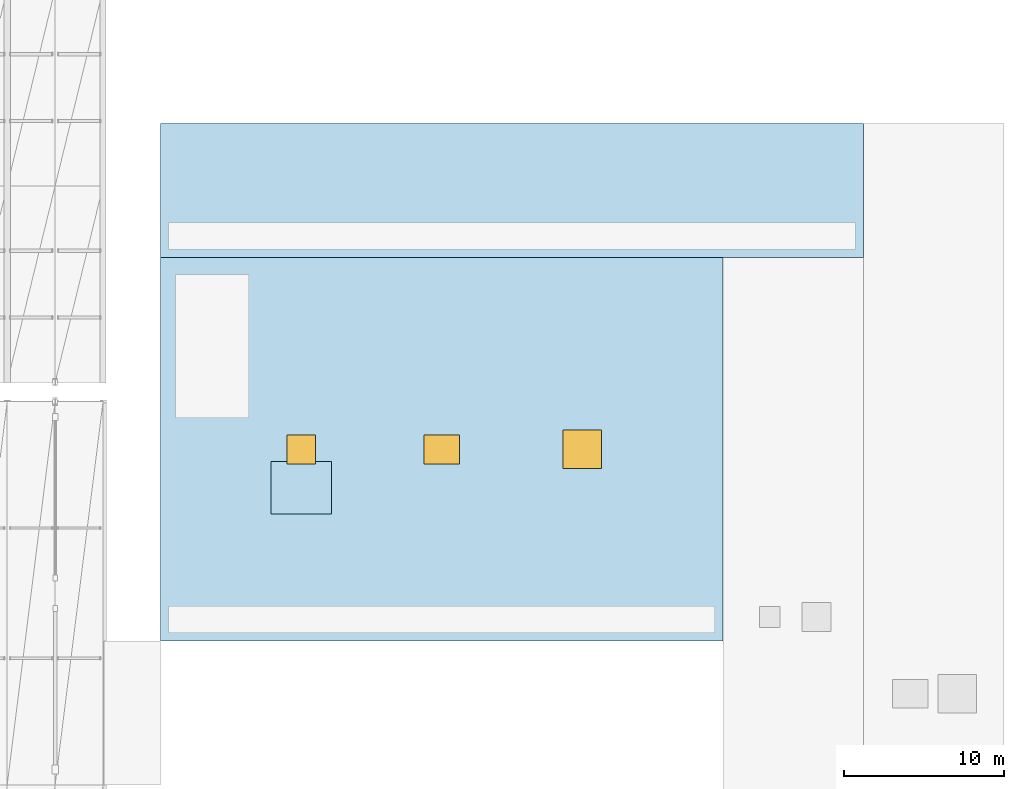
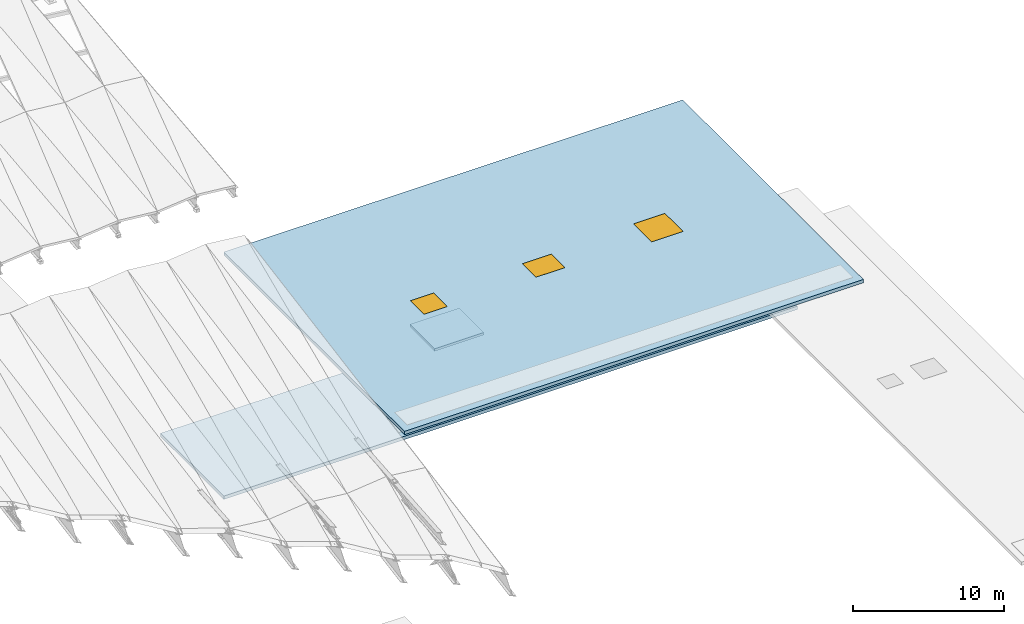
"""IFC4 building model written with IfcOpenShell, lengths in metres."""

from ifc_helpers import new_model, si_unit, direction, frame, origin, origin_2d, place, context, subcontext, project, spatial, polyline, rectangle, outline, extrude, material, layer, layer_set, type_object, element, fill, save


model = new_model("IFC4")

# Units and contexts
model_context = context("Model", 3, precision=1e-05, world=origin(), true_north=direction((0.0, 1.0)))
body_context = subcontext(model_context, "Body", "Model", "MODEL_VIEW")
ifc_project = project(units=[si_unit("LENGTHUNIT", "METRE"), si_unit("AREAUNIT", "SQUARE_METRE"), si_unit("VOLUMEUNIT", "CUBIC_METRE"), si_unit("PLANEANGLEUNIT", "RADIAN"), si_unit("MASSUNIT", "GRAM", prefix="KILO")], contexts=[model_context])

# Site, building, storey
site_placement = place(None, origin())
site = spatial("IfcSite", under=ifc_project, at=site_placement, CompositionType="ELEMENT")
building_placement = place(site_placement, origin())
building = spatial("IfcBuilding", under=site, at=building_placement, Name="Vaelkrest Opera House", CompositionType="ELEMENT")
storey_1_placement = place(building_placement, frame((0.0, 0.0, 41.39990234375)))
storey_1 = spatial("IfcBuildingStorey", under=building, at=storey_1_placement, Name="ROOF", CompositionType="ELEMENT", Elevation=41.39990234375)

# Slab, openings
ifc_material_1 = material(Name="Concrete C40/50", Category="concrete")
ifc_layer_1 = layer(ifc_material_1, 0.27490234375)
ifc_layer_set_1 = layer_set([ifc_layer_1], Name="Concrete C40/50")
slab_type_1 = type_object("IfcSlabType", Name="RS05", PredefinedType="ROOF", material=ifc_layer_set_1)
slab_1_placement = place(storey_1_placement, frame((0.0, 0.0, -11.6748046875)))
slab_1 = element("IfcSlab", 1, at=slab_1_placement, inside=storey_1, type_object=slab_type_1, Name="Flat roof slab SLB-ROOF-V4-MAIN", PredefinedType="ROOF", context=body_context, shape_type="SweptSolid", body=[
    extrude(outline(polyline([(33.60009765625, 1.199951171875), (68.800048828125, 1.199951171875), (68.800048828125, 25.199951171875), (33.60009765625, 25.199951171875), (33.60009765625, 1.199951171875)])), origin(), (0.0, 0.0, 1.0), 0.27490234375),
])
opening_1_placement = place(slab_1_placement, frame((42.39990234375, 13.199951171875, 0.0)))
opening_1 = element("IfcOpeningElement", 2, at=opening_1_placement, cuts=slab_1, Name="Opening SK01", PredefinedType="OPENING", context=body_context, shape_type="SweptSolid", body=[
    extrude(rectangle(XDim=1.800048828125, YDim=1.800048828125, at=origin_2d()), frame((0.0, 0.0, -0.010009765625)), (0.0, 0.0, 1.0), 0.294921875),
])
opening_2_placement = place(slab_1_placement, frame((51.199951171875, 13.199951171875, 0.0)))
opening_2 = element("IfcOpeningElement", 3, at=opening_2_placement, cuts=slab_1, Name="Opening SK02", PredefinedType="OPENING", context=body_context, shape_type="SweptSolid", body=[
    extrude(rectangle(XDim=2.199951171875, YDim=1.800048828125, at=origin_2d()), frame((0.0, 0.0, -0.010009765625)), (0.0, 0.0, 1.0), 0.294921875),
])
opening_3_placement = place(slab_1_placement, frame((60.0, 13.199951171875, 0.0)))
opening_3 = element("IfcOpeningElement", 4, at=opening_3_placement, cuts=slab_1, Name="Opening SK03", PredefinedType="OPENING", context=body_context, shape_type="SweptSolid", body=[
    extrude(rectangle(XDim=2.39990234375, YDim=2.39990234375, at=origin_2d()), frame((0.0, 0.0, -0.010009765625)), (0.0, 0.0, 1.0), 0.294921875),
])

# Storey
storey_2_placement = place(building_placement, frame((0.0, 0.0, 24.60009765625)))
storey_2 = spatial("IfcBuildingStorey", under=building, at=storey_2_placement, Name="L05", CompositionType="ELEMENT", Elevation=24.60009765625)

# Window
ifc_material_2 = material(Name="Double low-E insulated glazing", Category="glass")
window_type_1 = type_object("IfcWindowType", Name="SKT01", PartitioningType="SINGLE_PANEL", PredefinedType="SKYLIGHT", material=ifc_material_2)
window_1_placement = place(opening_1_placement, frame((0.0, 0.0, 0.224853515625)))
window_1 = element("IfcWindow", 5, at=window_1_placement, inside=storey_2, type_object=window_type_1, Name="Roof skylight SK01", OverallHeight=1.800048828125, OverallWidth=1.800048828125, PartitioningType="SINGLE_PANEL", PredefinedType="SKYLIGHT", context=body_context, shape_type="SweptSolid", body=[
    extrude(rectangle(XDim=1.800048828125, YDim=1.800048828125, at=origin_2d()), origin(), (0.0, 0.0, 1.0), 0.050048828125),
])

fill(opening_1, window_1)

window_type_2 = type_object("IfcWindowType", Name="SKT02", PartitioningType="SINGLE_PANEL", PredefinedType="SKYLIGHT", material=ifc_material_2)
window_2_placement = place(opening_2_placement, frame((0.0, 0.0, 0.224853515625)))
window_2 = element("IfcWindow", 6, at=window_2_placement, inside=storey_2, type_object=window_type_2, Name="Roof skylight SK02", OverallHeight=1.800048828125, OverallWidth=2.199951171875, PartitioningType="SINGLE_PANEL", PredefinedType="SKYLIGHT", context=body_context, shape_type="SweptSolid", body=[
    extrude(rectangle(XDim=2.199951171875, YDim=1.800048828125, at=origin_2d()), origin(), (0.0, 0.0, 1.0), 0.050048828125),
])

fill(opening_2, window_2)

window_type_3 = type_object("IfcWindowType", Name="SKT03", PartitioningType="SINGLE_PANEL", PredefinedType="SKYLIGHT", material=ifc_material_2)
window_3_placement = place(opening_3_placement, frame((0.0, 0.0, 0.224853515625)))
window_3 = element("IfcWindow", 7, at=window_3_placement, inside=storey_2, type_object=window_type_3, Name="Roof skylight SK03", OverallHeight=2.39990234375, OverallWidth=2.39990234375, PartitioningType="SINGLE_PANEL", PredefinedType="SKYLIGHT", context=body_context, shape_type="SweptSolid", body=[
    extrude(rectangle(XDim=2.39990234375, YDim=2.39990234375, at=origin_2d()), origin(), (0.0, 0.0, 1.0), 0.050048828125),
])

fill(opening_3, window_3)

# Slabs
slab_2_placement = place(storey_1_placement, frame((0.0, 0.0, -31.474853515625)))
element("IfcSlab", 8, at=slab_2_placement, inside=storey_1, type_object=slab_type_1, Name="Flat roof slab SLB-ROOF-V4-NOR", PredefinedType="ROOF", context=body_context, shape_type="SweptSolid", body=[
    extrude(outline(polyline([(33.60009765625, 25.199951171875), (77.60009765625, 25.199951171875), (77.60009765625, 33.60009765625), (33.60009765625, 33.60009765625), (33.60009765625, 25.199951171875)])), origin(), (0.0, 0.0, 1.0), 0.27490234375),
])
ifc_layer_2 = layer(ifc_material_1, 0.205078125)
ifc_layer_set_2 = layer_set([ifc_layer_2], Name="Concrete C40/50")
slab_type_2 = type_object("IfcSlabType", Name="RS06", PredefinedType="ROOF", material=ifc_layer_set_2)
slab_3_placement = place(storey_1_placement, frame((0.0, 0.0, -12.15478515625)))
element("IfcSlab", 9, at=slab_3_placement, inside=storey_1, type_object=slab_type_2, Name="Lift overrun slab LP06", PredefinedType="ROOF", context=body_context, shape_type="SweptSolid", body=[
    extrude(outline(polyline([(40.510009765625, 9.159912109375), (44.2900390625, 9.159912109375), (44.2900390625, 12.43994140625), (40.510009765625, 12.43994140625), (40.510009765625, 9.159912109375)])), origin(), (0.0, 0.0, 1.0), 0.204833984375),
])

save(model, "model.ifc")
